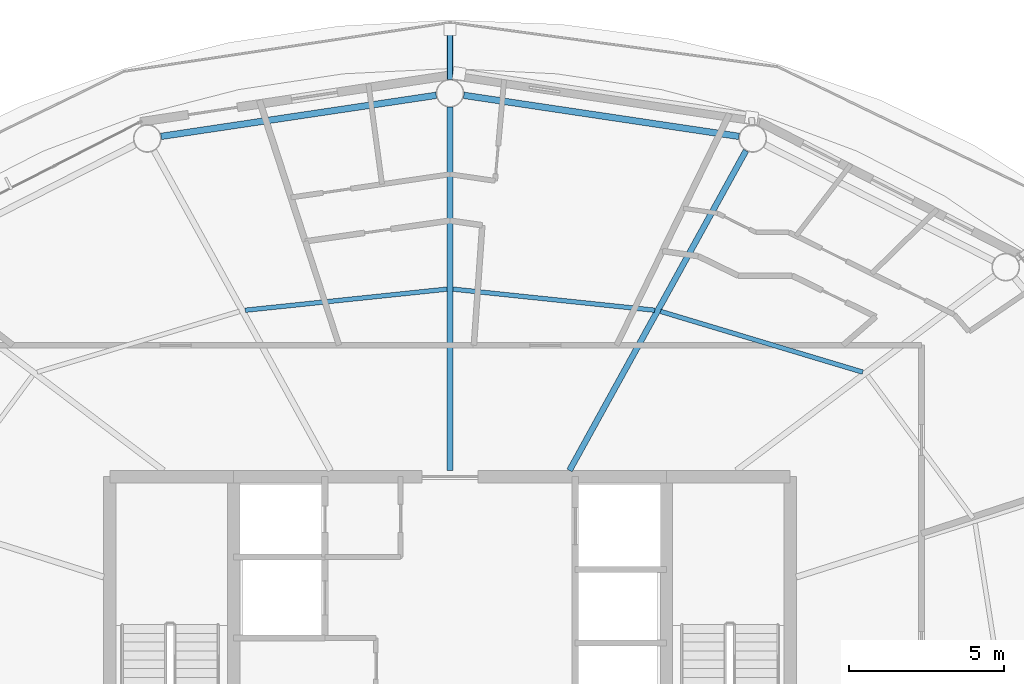
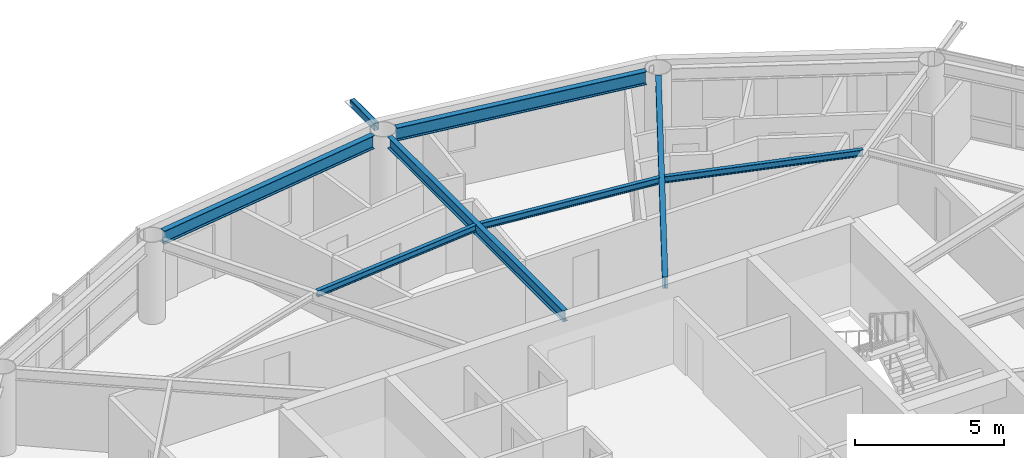
# One storey, part 10 of 23: 7 beams, 1 member.
"""IFC4 building model written with IfcOpenShell, lengths in metres."""

from ifc_helpers import new_model, si_unit, direction, frame, origin, origin_2d, place, context, subcontext, project, spatial, hollow_rectangle, i_section, extrude, material, material_profile, profile_set, type_object, element, save


model = new_model("IFC4")

# Units and contexts
model_context = context("Model", 3, precision=1e-05, world=origin(), true_north=direction((0.0, 1.0)))
body_context = subcontext(model_context, "Body", "Model", "MODEL_VIEW")
ifc_project = project(units=[si_unit("LENGTHUNIT", "METRE"), si_unit("AREAUNIT", "SQUARE_METRE"), si_unit("VOLUMEUNIT", "CUBIC_METRE"), si_unit("PLANEANGLEUNIT", "RADIAN"), si_unit("MASSUNIT", "GRAM", prefix="KILO")], contexts=[model_context])

# Site, building, storey
site_placement = place(None, origin())
site = spatial("IfcSite", under=ifc_project, at=site_placement, CompositionType="ELEMENT")
building_placement = place(site_placement, origin())
building = spatial("IfcBuilding", under=site, at=building_placement, Name="Sarneth Arch Tower", CompositionType="ELEMENT")
storey_placement = place(building_placement, frame((0.0, 0.0, 217.199951171875)))
storey = spatial("IfcBuildingStorey", under=building, at=storey_placement, Name="L55", CompositionType="ELEMENT", Elevation=217.199951171875)

# Beams
ifc_material_1 = material(Name="Steel S355", Category="steel")
ifc_material_profile_1 = material_profile(ifc_material_1, i_section(OverallWidth=0.14794921875, OverallDepth=0.26611328125, WebThickness=0.007568359375, FlangeThickness=0.012939453125, FilletRadius=0.012939453125, at=origin_2d()), Name="W250x44.8")
ifc_profile_set_1 = profile_set([ifc_material_profile_1], Name="Steel S355")
beam_type_1 = type_object("IfcBeamType", Name="BM-JOIST-250", PredefinedType="JOIST", material=ifc_profile_set_1)
beam_1_placement = place(storey_placement, frame((61.35009765625, 52.18017578125, 3.22705078125), z_axis=(-0.957725851155, 0.287682453461, 0.0), x_axis=(-0.287682453461, -0.957725851155, 0.0)))
element("IfcBeam", 1, at=beam_1_placement, inside=storey, type_object=beam_type_1, Name="L55 Secondary floor joist 03", PredefinedType="JOIST", context=body_context, shape_type="SweptSolid", body=[
    extrude(i_section(OverallWidth=0.14794921875, OverallDepth=0.26611328125, WebThickness=0.007568359375, FlangeThickness=0.012939453125, FilletRadius=0.012939453125, at=origin_2d()), origin(), (0.0, 0.0, 1.0), 6.828125),
])
for number, where, z_axis, x_axis, name in (
    (2, (54.623046875, 54.18212890625, 3.22705078125), (-0.994572713015, 0.104043829835, 0.0), (-0.104043829835, -0.994572713015, 0.0), "L55 Secondary floor joist 04"),
    (3, (47.904541015625, 54.864990234375, 3.22705078125), (-0.994572713015, -0.104043829835, 0.0), (0.104043829835, -0.994572713015, 0.0), "L55 Secondary floor joist 05"),
):
    element("IfcBeam", number, at=place(storey_placement, frame(where, z_axis=z_axis, x_axis=x_axis)), inside=storey, type_object=beam_type_1, Name=name, PredefinedType="JOIST", context=body_context, shape_type="SweptSolid", body=[
        extrude(i_section(OverallWidth=0.14794921875, OverallDepth=0.26611328125, WebThickness=0.007568359375, FlangeThickness=0.012939453125, FilletRadius=0.012939453125, at=origin_2d()), origin(), (0.0, 0.0, 1.0), 6.563232421875),
    ])
ifc_material_2 = material(Name="Steel S355", Category="steel")
ifc_material_profile_2 = material_profile(ifc_material_2, i_section(OverallWidth=0.19189453125, OverallDepth=0.462890625, WebThickness=0.010498046875, FlangeThickness=0.017578125, FilletRadius=0.01806640625, at=origin_2d()), Name="W460x89")
ifc_profile_set_2 = profile_set([ifc_material_profile_2], Name="Steel S355")
beam_type_2 = type_object("IfcBeamType", Name="BM-RAD-460B", PredefinedType="BEAM", material=ifc_profile_set_2)
beam_2_placement = place(storey_placement, frame((51.86376953125, 49.0, 3.128662109375), z_axis=(0.483218265038, 0.875499919094, 0.0), x_axis=(-0.875499919094, 0.483218265038, 0.0)))
element("IfcBeam", 4, at=beam_2_placement, inside=storey, type_object=beam_type_2, Name="L55 Radial floor girder 04", PredefinedType="BEAM", context=body_context, shape_type="SweptSolid", body=[
    extrude(i_section(OverallWidth=0.19189453125, OverallDepth=0.462890625, WebThickness=0.010498046875, FlangeThickness=0.017578125, FilletRadius=0.01806640625, at=origin_2d()), origin(), (0.0, 0.0, 1.0), 11.8154296875),
])
beam_3_placement = place(storey_placement, frame((48.0, 49.0, 3.128662109375), z_axis=(0.0, 1.0, 0.0), x_axis=(-1.0, 0.0, 0.0)))
element("IfcBeam", 5, at=beam_3_placement, inside=storey, type_object=beam_type_2, Name="L55 Radial floor girder 05", PredefinedType="BEAM", context=body_context, shape_type="SweptSolid", body=[
    extrude(i_section(OverallWidth=0.19189453125, OverallDepth=0.462890625, WebThickness=0.010498046875, FlangeThickness=0.017578125, FilletRadius=0.01806640625, at=origin_2d()), origin(), (0.0, 0.0, 1.0), 11.75),
])
ifc_material_3 = material(Name="Steel S355", Category="steel")
ifc_material_profile_3 = material_profile(ifc_material_3, i_section(OverallWidth=0.2109375, OverallDepth=0.5390625, WebThickness=0.01171875, FlangeThickness=0.018798828125, FilletRadius=0.01806640625, at=origin_2d()), Name="W530x109")
ifc_profile_set_3 = profile_set([ifc_material_profile_3], Name="Steel S355")
beam_type_3 = type_object("IfcBeamType", Name="BM-RAD-530B", PredefinedType="BEAM", material=ifc_profile_set_3)
for number, where, z_axis, x_axis, name in (
    (6, (57.345703125, 59.804931640625, 3.090576171875), (-0.989041765772, 0.147635990052, 0.0), (-0.147635990052, -0.989041765772, 0.0), "L55 Perimeter spandrel beam 04"),
    (7, (47.554931640625, 61.133544921875, 3.090576171875), (-0.989041765772, -0.147635990052, 0.0), (0.147635990052, -0.989041765772, 0.0), "L55 Perimeter spandrel beam 05"),
):
    element("IfcBeam", number, at=place(storey_placement, frame(where, z_axis=z_axis, x_axis=x_axis)), inside=storey, type_object=beam_type_3, Name=name, PredefinedType="BEAM", context=body_context, shape_type="SweptSolid", body=[
        extrude(i_section(OverallWidth=0.2109375, OverallDepth=0.5390625, WebThickness=0.01171875, FlangeThickness=0.018798828125, FilletRadius=0.01806640625, at=origin_2d()), origin(), (0.0, 0.0, 1.0), 8.999267578125),
    ])

# Member
ifc_material_4 = material(Name="Steel S355", Category="steel")
ifc_material_profile_4 = material_profile(ifc_material_4, hollow_rectangle(XDim=0.199951171875, YDim=0.300048828125, WallThickness=0.012451171875, InnerFilletRadius=0.018798828125, OuterFilletRadius=0.03125, at=origin_2d()), Name="RHS300x200x12.5")
ifc_profile_set_4 = profile_set([ifc_material_profile_4], Name="Steel S355")
member_type = type_object("IfcMemberType", Name="MEM-CANT-STRUT", PredefinedType="STRUT", material=ifc_profile_set_4)
member_placement = place(storey_placement, frame((48.0, 61.64990234375, 3.199951171875), z_axis=(0.0, 1.0, 0.0), x_axis=(-1.0, 0.0, 0.0)))
element("IfcMember", 8, at=member_placement, inside=storey, type_object=member_type, Name="L55 Balcony cantilever bracket 05", PredefinedType="STRUT", context=body_context, shape_type="SweptSolid", body=[
    extrude(hollow_rectangle(XDim=0.199951171875, YDim=0.300048828125, WallThickness=0.012451171875, InnerFilletRadius=0.018798828125, OuterFilletRadius=0.03125, at=origin_2d()), origin(), (0.0, 0.0, 1.0), 1.613525390625),
])

save(model, "model.ifc")
